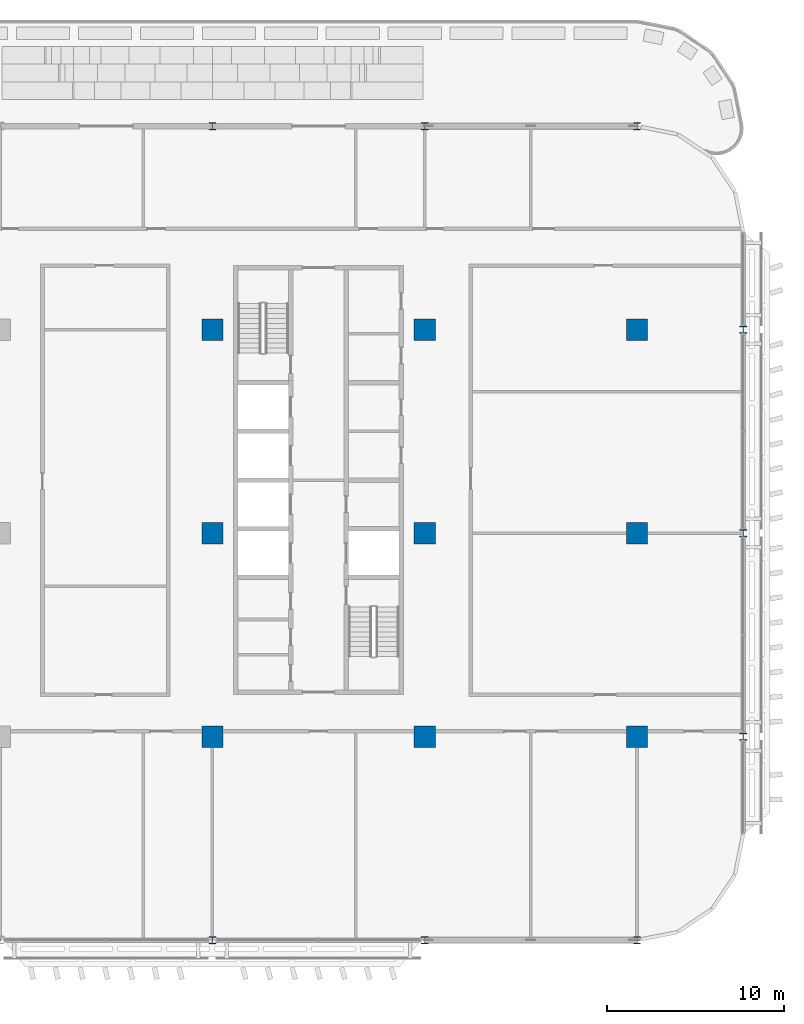
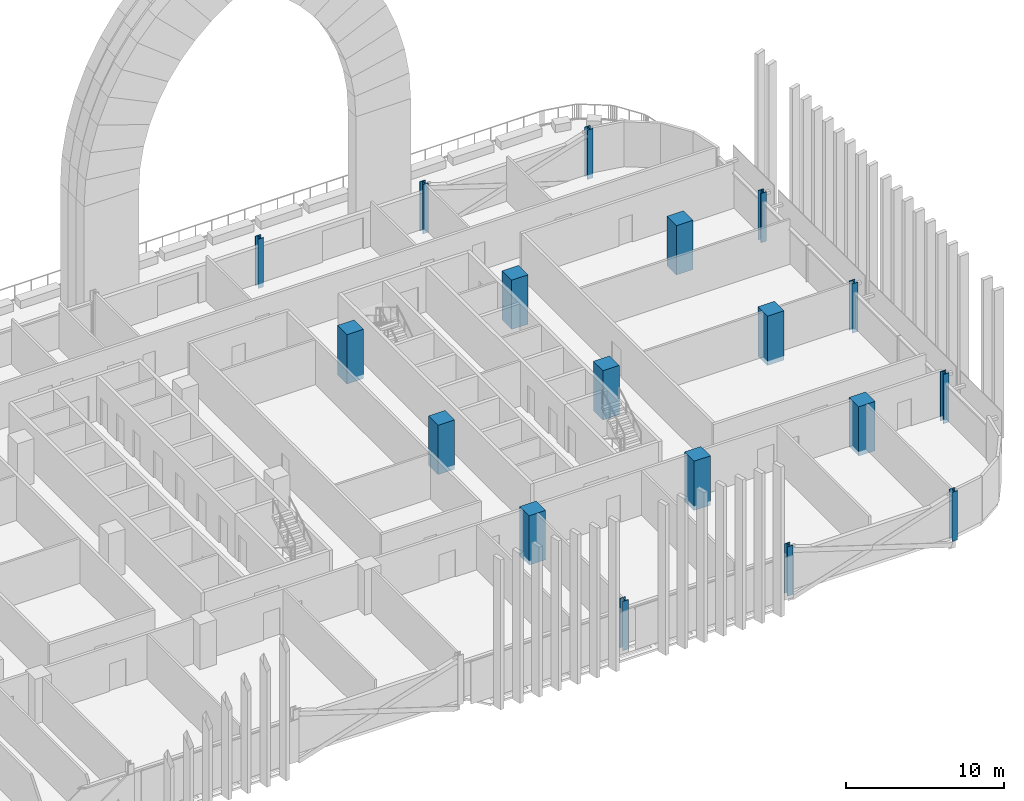
# One storey, part 2 of 30: 18 columns.
"""IFC4 building model written with IfcOpenShell, lengths in metres."""

from ifc_helpers import new_model, si_unit, direction, frame, origin, origin_2d, place, context, subcontext, project, spatial, rectangle, i_section, extrude, material, material_profile, profile_set, type_object, element, save


model = new_model("IFC4")

# Units and contexts
model_context = context("Model", 3, precision=1e-05, world=origin(), true_north=direction((0.0, 1.0)))
body_context = subcontext(model_context, "Body", "Model", "MODEL_VIEW")
ifc_project = project(units=[si_unit("LENGTHUNIT", "METRE"), si_unit("AREAUNIT", "SQUARE_METRE"), si_unit("VOLUMEUNIT", "CUBIC_METRE"), si_unit("PLANEANGLEUNIT", "RADIAN"), si_unit("MASSUNIT", "GRAM", prefix="KILO")], contexts=[model_context])

# Site, building, storey
site_placement = place(None, origin())
site = spatial("IfcSite", under=ifc_project, at=site_placement, CompositionType="ELEMENT")
building_placement = place(site_placement, origin())
building = spatial("IfcBuilding", under=site, at=building_placement, Name="Mahtab Terrace Research Tower", CompositionType="ELEMENT")
storey_placement = place(building_placement, frame((0.0, 0.0, 159.199951171875)))
storey = spatial("IfcBuildingStorey", under=building, at=storey_placement, Name="L37", CompositionType="ELEMENT", Elevation=159.199951171875)

# Columns
ifc_material_1 = material(Name="Concrete C70/85", Category="concrete")
ifc_material_profile_1 = material_profile(ifc_material_1, rectangle(XDim=1.199951171875, YDim=1.199951171875, at=origin_2d()), Name="RC column 1200x1200")
ifc_profile_set_1 = profile_set([ifc_material_profile_1], Name="Concrete C70/85")
column_type_1 = type_object("IfcColumnType", Name="RC column 1200x1200", PredefinedType="COLUMN", material=ifc_profile_set_1)
for number, where, z_axis, x_axis, name in (
    (1, (18.0, -11.5, -0.33984375), (0.0, 0.0, 1.0), (1.0, 0.0, 0.0), "Column RC-6A L37"),
    (2, (18.0, 0.0, -0.33984375), (0.0, 0.0, 1.0), (1.0, 0.0, 0.0), "Column RC-6B L37"),
    (3, (18.0, 11.5, -0.33984375), (0.0, 0.0, 1.0), (1.0, 0.0, 0.0), "Column RC-6C L37"),
    (4, (30.0, -11.5, -0.33984375), (0.0, 0.0, 1.0), (1.0, 0.0, 0.0), "Column RC-7A L37"),
    (5, (30.0, 0.0, -0.33984375), (0.0, 0.0, 1.0), (1.0, 0.0, 0.0), "Column RC-7B L37"),
    (6, (30.0, 11.5, -0.33984375), (0.0, 0.0, 1.0), (1.0, 0.0, 0.0), "Column RC-7C L37"),
    (7, (42.0, -11.5, -0.33984375), (0.0, 0.0, 1.0), (1.0, 0.0, 0.0), "Column RC-8A L37"),
    (8, (42.0, 0.0, -0.33984375), (0.0, 0.0, 1.0), (1.0, 0.0, 0.0), "Column RC-8B L37"),
    (9, (42.0, 11.5, -0.33984375), (0.0, 0.0, 1.0), (1.0, 0.0, 0.0), "Column RC-8C L37"),
):
    element("IfcColumn", number, at=place(storey_placement, frame(where, z_axis=z_axis, x_axis=x_axis)), inside=storey, type_object=column_type_1, Name=name, PredefinedType="COLUMN", context=body_context, shape_type="SweptSolid", body=[
        extrude(rectangle(XDim=1.199951171875, YDim=1.199951171875, at=origin_2d()), origin(), (0.0, 0.0, 1.0), 3.7998046875),
    ])
ifc_material_2 = material(Name="Steel ASTM A992 Gr 50", Category="steel")
ifc_material_profile_2 = material_profile(ifc_material_2, i_section(OverallWidth=0.406494140625, OverallDepth=0.41650390625, WebThickness=0.030029296875, FlangeThickness=0.048095703125, at=origin_2d()), Name="W14X257")
ifc_profile_set_2 = profile_set([ifc_material_profile_2], Name="Steel ASTM A992 Gr 50")
column_type_2 = type_object("IfcColumnType", Name="W14x257 column CS14257", PredefinedType="COLUMN", material=ifc_profile_set_2)
for number, where, z_axis, x_axis, name in (
    (10, (42.0, 23.0, -0.33984375), (0.0, 0.0, 1.0), (1.0, 0.0, 0.0), "Column SC-001 L37"),
    (11, (30.0, 23.0, -0.33984375), (0.0, 0.0, 1.0), (1.0, 0.0, 0.0), "Column SC-002 L37"),
    (12, (18.0, 23.0, -0.33984375), (0.0, 0.0, 1.0), (1.0, 0.0, 0.0), "Column SC-003 L37"),
    (13, (18.0, -23.0, -0.33984375), (0.0, 0.0, 1.0), (1.0, 0.0, 0.0), "Column SC-017 L37"),
    (14, (30.0, -23.0, -0.33984375), (0.0, 0.0, 1.0), (1.0, 0.0, 0.0), "Column SC-018 L37"),
    (15, (42.0, -23.0, -0.33984375), (0.0, 0.0, 1.0), (1.0, 0.0, 0.0), "Column SC-019 L37"),
    (16, (48.0, -11.5, -0.33984375), (0.0, 0.0, 1.0), (1.0, 0.0, 0.0), "Column SC-020 L37"),
    (17, (48.0, 0.0, -0.33984375), (0.0, 0.0, 1.0), (1.0, 0.0, 0.0), "Column SC-021 L37"),
    (18, (48.0, 11.5, -0.33984375), (0.0, 0.0, 1.0), (1.0, 0.0, 0.0), "Column SC-022 L37"),
):
    element("IfcColumn", number, at=place(storey_placement, frame(where, z_axis=z_axis, x_axis=x_axis)), inside=storey, type_object=column_type_2, Name=name, PredefinedType="COLUMN", context=body_context, shape_type="SweptSolid", body=[
        extrude(i_section(OverallWidth=0.406494140625, OverallDepth=0.41650390625, WebThickness=0.030029296875, FlangeThickness=0.048095703125, at=origin_2d()), origin(), (0.0, 0.0, 1.0), 3.7998046875),
    ])

save(model, "model.ifc")
